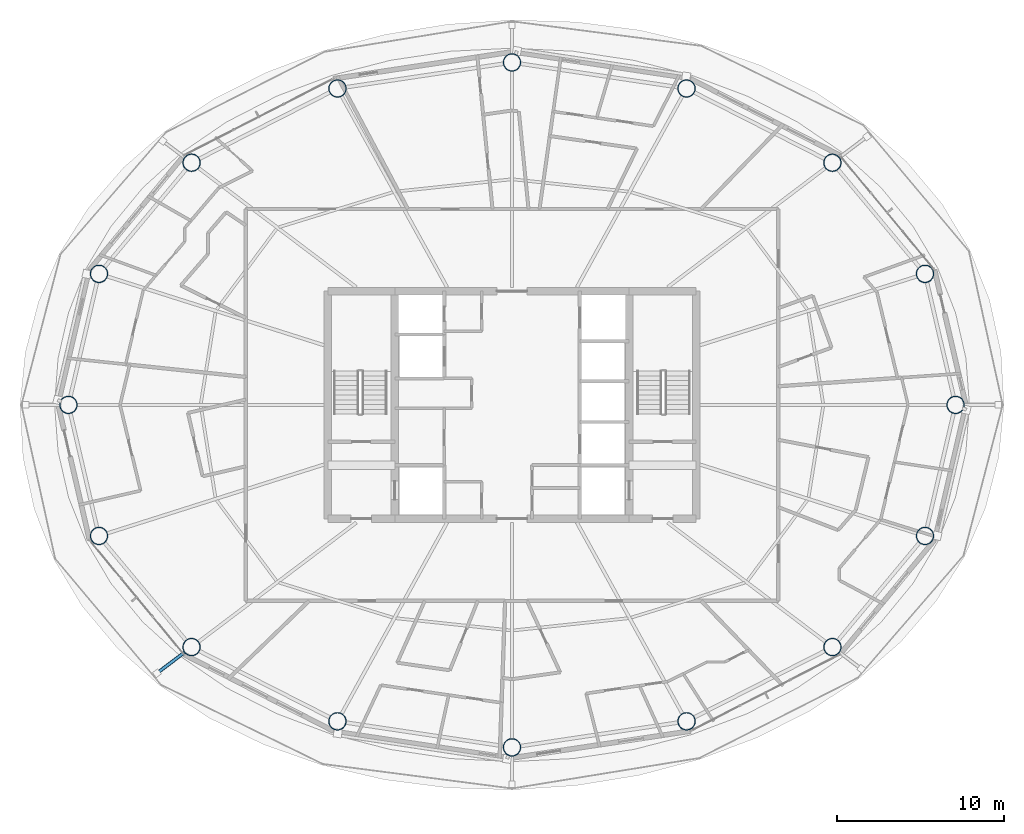
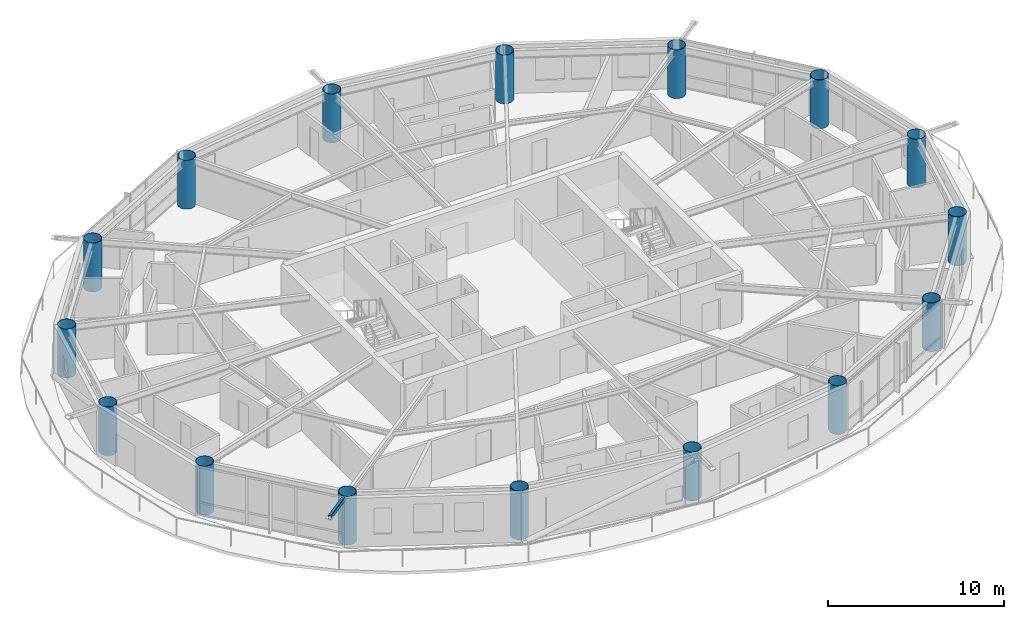
# One storey, part 1 of 28: 16 columns, 1 member.
"""IFC4 building model written with IfcOpenShell, lengths in metres."""

from ifc_helpers import new_model, si_unit, direction, frame, origin, origin_2d, place, context, subcontext, project, spatial, hollow_rectangle, hollow_circle, extrude, material, material_profile, profile_set, type_object, element, save


model = new_model("IFC4")

# Units and contexts
model_context = context("Model", 3, precision=1e-05, world=origin(), true_north=direction((0.0, 1.0)))
body_context = subcontext(model_context, "Body", "Model", "MODEL_VIEW")
ifc_project = project(units=[si_unit("LENGTHUNIT", "METRE"), si_unit("AREAUNIT", "SQUARE_METRE"), si_unit("VOLUMEUNIT", "CUBIC_METRE"), si_unit("PLANEANGLEUNIT", "RADIAN"), si_unit("MASSUNIT", "GRAM", prefix="KILO")], contexts=[model_context])

# Site, building, storey
site_placement = place(None, origin())
site = spatial("IfcSite", under=ifc_project, at=site_placement, CompositionType="ELEMENT")
building_placement = place(site_placement, origin())
building = spatial("IfcBuilding", under=site, at=building_placement, Name="Sarneth Arch Tower", CompositionType="ELEMENT")
storey_placement = place(building_placement, frame((0.0, 0.0, 154.199951171875)))
storey = spatial("IfcBuildingStorey", under=building, at=storey_placement, Name="L38", CompositionType="ELEMENT", Elevation=154.199951171875)

# Columns
ifc_material_1 = material(Name="Steel S355", Category="steel")
ifc_material_profile_1 = material_profile(ifc_material_1, hollow_circle(Radius=0.52490234375, WallThickness=0.028076171875, at=origin_2d()), Name="CHS1050x28")
ifc_profile_set_1 = profile_set([ifc_material_profile_1], Name="Steel S355")
column_type = type_object("IfcColumnType", Name="COL-MEGA-1050", PredefinedType="COLUMN", material=ifc_profile_set_1)
for number, where, z_axis, x_axis, name in (
    (1, (74.487060546875, 42.0, 0.0), (0.0, 0.0, 1.0), (1.0, 0.0, 0.0), "L38 Perimeter mega-column M01"),
    (2, (72.662109375, 49.825927734375, 0.0), (0.0, 0.0, 1.0), (1.0, 0.0, 0.0), "L38 Perimeter mega-column M02"),
    (3, (67.1337890625, 56.46044921875, 0.0), (0.0, 0.0, 1.0), (1.0, 0.0, 0.0), "L38 Perimeter mega-column M03"),
    (4, (58.421875, 60.893310546875, 0.0), (0.0, 0.0, 1.0), (1.0, 0.0, 0.0), "L38 Perimeter mega-column M04"),
    (5, (48.0, 62.449951171875, 0.0), (0.0, 0.0, 1.0), (1.0, 0.0, 0.0), "L38 Perimeter mega-column M05"),
    (6, (37.578125, 60.893310546875, 0.0), (0.0, 0.0, 1.0), (1.0, 0.0, 0.0), "L38 Perimeter mega-column M06"),
    (7, (28.8662109375, 56.46044921875, 0.0), (0.0, 0.0, 1.0), (1.0, 0.0, 0.0), "L38 Perimeter mega-column M07"),
    (8, (23.337890625, 49.825927734375, 0.0), (0.0, 0.0, 1.0), (1.0, 0.0, 0.0), "L38 Perimeter mega-column M08"),
    (9, (21.512939453125, 42.0, 0.0), (0.0, 0.0, 1.0), (1.0, 0.0, 0.0), "L38 Perimeter mega-column M09"),
    (10, (23.337890625, 34.174072265625, 0.0), (0.0, 0.0, 1.0), (1.0, 0.0, 0.0), "L38 Perimeter mega-column M10"),
    (11, (28.8662109375, 27.53955078125, 0.0), (0.0, 0.0, 1.0), (1.0, 0.0, 0.0), "L38 Perimeter mega-column M11"),
    (12, (37.578125, 23.106689453125, 0.0), (0.0, 0.0, 1.0), (1.0, 0.0, 0.0), "L38 Perimeter mega-column M12"),
    (13, (48.0, 21.550048828125, 0.0), (0.0, 0.0, 1.0), (1.0, 0.0, 0.0), "L38 Perimeter mega-column M13"),
    (14, (58.421875, 23.106689453125, 0.0), (0.0, 0.0, 1.0), (1.0, 0.0, 0.0), "L38 Perimeter mega-column M14"),
    (15, (67.1337890625, 27.53955078125, 0.0), (0.0, 0.0, 1.0), (1.0, 0.0, 0.0), "L38 Perimeter mega-column M15"),
    (16, (72.662109375, 34.174072265625, 0.0), (0.0, 0.0, 1.0), (1.0, 0.0, 0.0), "L38 Perimeter mega-column M16"),
):
    element("IfcColumn", number, at=place(storey_placement, frame(where, z_axis=z_axis, x_axis=x_axis)), inside=storey, type_object=column_type, Name=name, PredefinedType="COLUMN", context=body_context, shape_type="SweptSolid", body=[
        extrude(hollow_circle(Radius=0.52490234375, WallThickness=0.028076171875, at=origin_2d()), origin(), (0.0, 0.0, 1.0), 3.380126953125),
    ])

# Member
ifc_material_2 = material(Name="Steel S355", Category="steel")
ifc_material_profile_2 = material_profile(ifc_material_2, hollow_rectangle(XDim=0.199951171875, YDim=0.300048828125, WallThickness=0.012451171875, InnerFilletRadius=0.018798828125, OuterFilletRadius=0.03125, at=origin_2d()), Name="RHS300x200x12.5")
ifc_profile_set_2 = profile_set([ifc_material_profile_2], Name="Steel S355")
member_type = type_object("IfcMemberType", Name="MEM-CANT-STRUT", PredefinedType="STRUT", material=ifc_profile_set_2)
member_placement = place(storey_placement, frame((28.447265625, 27.22314453125, 3.219970703125), z_axis=(-0.797768823722, -0.602963434959, 0.0), x_axis=(0.602963434959, -0.797768823722, 0.0)))
element("IfcMember", 17, at=member_placement, inside=storey, type_object=member_type, Name="L38 Balcony cantilever bracket 11", PredefinedType="STRUT", context=body_context, shape_type="SweptSolid", body=[
    extrude(hollow_rectangle(XDim=0.199951171875, YDim=0.300048828125, WallThickness=0.012451171875, InnerFilletRadius=0.018798828125, OuterFilletRadius=0.03125, at=origin_2d()), origin(), (0.0, 0.0, 1.0), 2.066650390625),
])

save(model, "model.ifc")
